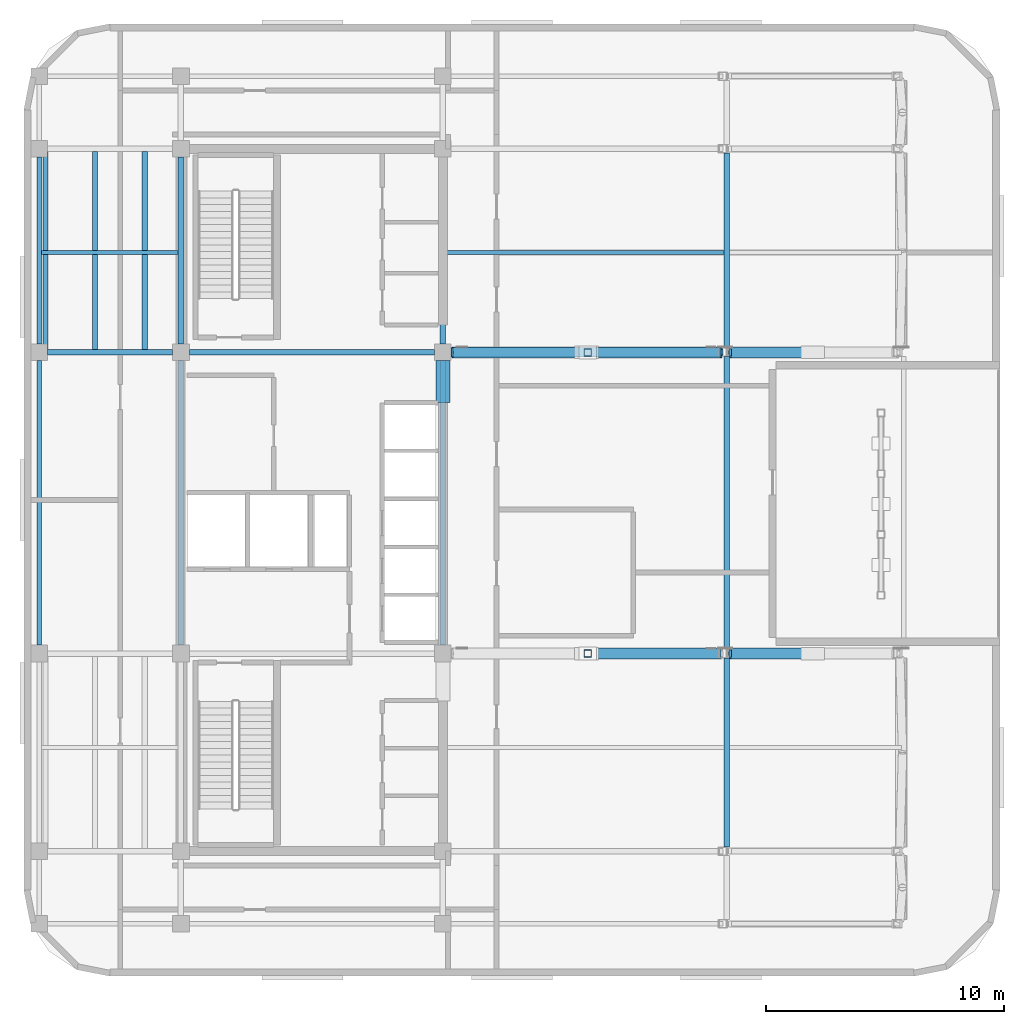
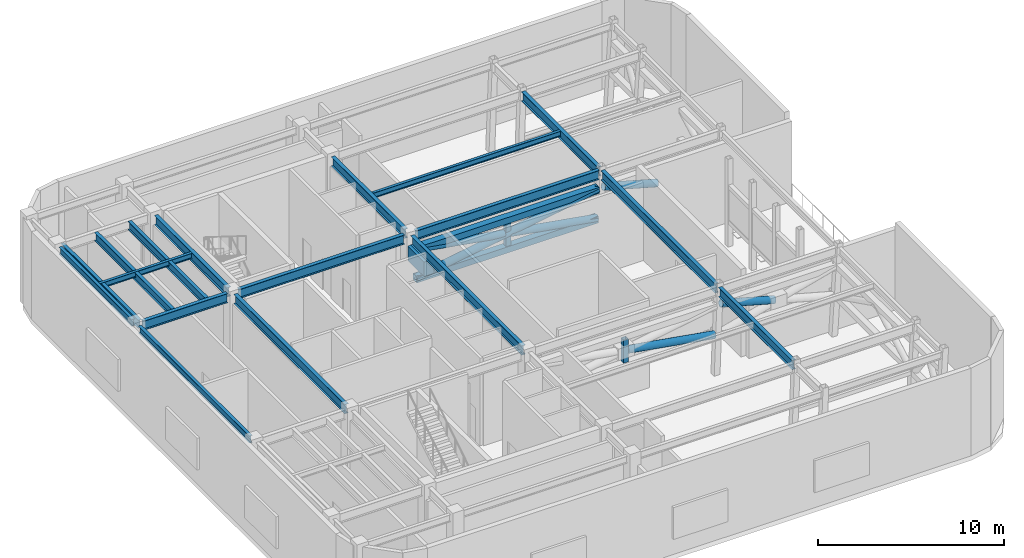
# One storey, part 2 of 12: 18 beams, 10 members.
"""IFC4 building model written with IfcOpenShell, lengths in metres."""

from ifc_helpers import new_model, si_unit, direction, frame, origin, origin_2d, place, context, subcontext, project, spatial, rectangle, hollow_rectangle, hollow_circle, i_section, extrude, material, material_profile, profile_set, type_object, element, save


model = new_model("IFC4")

# Units and contexts
model_context = context("Model", 3, precision=1e-05, world=origin(), true_north=direction((0.0, 1.0)))
body_context = subcontext(model_context, "Body", "Model", "MODEL_VIEW")
ifc_project = project(units=[si_unit("LENGTHUNIT", "METRE"), si_unit("AREAUNIT", "SQUARE_METRE"), si_unit("VOLUMEUNIT", "CUBIC_METRE"), si_unit("PLANEANGLEUNIT", "RADIAN"), si_unit("MASSUNIT", "GRAM", prefix="KILO")], contexts=[model_context])

# Site, building, storey
site_placement = place(None, origin())
site = spatial("IfcSite", under=ifc_project, at=site_placement, CompositionType="ELEMENT")
building_placement = place(site_placement, origin())
building = spatial("IfcBuilding", under=site, at=building_placement, Name="Ochreholt Gables", CompositionType="ELEMENT")
storey_placement = place(building_placement, frame((0.0, 0.0, 199.800048828125)))
storey = spatial("IfcBuildingStorey", under=building, at=storey_placement, Name="L52", CompositionType="ELEMENT", Elevation=199.800048828125)

# Beams
ifc_material_1 = material(Name="Concrete 60 MPa", Category="concrete")
ifc_material_profile_1 = material_profile(ifc_material_1, rectangle(XDim=0.60009765625, YDim=0.949951171875, at=origin_2d()), Name="RCB600X950")
ifc_profile_set_1 = profile_set([ifc_material_profile_1], Name="Concrete 60 MPa")
beam_type_1 = type_object("IfcBeamType", Name="BM-CPL-RC600", PredefinedType="LINTEL", material=ifc_profile_set_1)
beam_1_placement = place(storey_placement, frame((35.2099609375, 28.10009765625, 4.6728515625), z_axis=(0.0, 1.0, 0.0), x_axis=(-1.0, 0.0, 0.0)))
element("IfcBeam", 1, at=beam_1_placement, inside=storey, type_object=beam_type_1, Name="L52 Core Coupling Lintel CPN", PredefinedType="LINTEL", context=body_context, shape_type="SweptSolid", body=[
    extrude(rectangle(XDim=0.60009765625, YDim=0.949951171875, at=origin_2d()), origin(), (0.0, 0.0, 1.0), 1.75),
])
ifc_material_2 = material(Name="Steel CSA G40.21 350W", Category="steel")
ifc_material_profile_2 = material_profile(ifc_material_2, i_section(OverallWidth=0.2109375, OverallDepth=0.5390625, WebThickness=0.01171875, FlangeThickness=0.018798828125, at=origin_2d()), Name="W530X109")
ifc_profile_set_2 = profile_set([ifc_material_profile_2], Name="Steel CSA G40.21 350W")
beam_type_2 = type_object("IfcBeamType", Name="BM-G-W530A", PredefinedType="BEAM", material=ifc_profile_set_2)
for number, where, z_axis, x_axis, name in (
    (2, (18.52001953125, 30.314208984375, 5.490478515625), (0.0, 1.0, 0.0), (-1.0, 0.0, 0.0), "L52 Beam BTG-L52-53W2W"),
    (3, (20.60009765625, 30.314208984375, 5.490478515625), (0.0, 1.0, 0.0), (-1.0, 0.0, 0.0), "L52 Beam BTG-L52-53W2R"),
    (4, (22.679931640625, 30.314208984375, 5.490478515625), (0.0, 1.0, 0.0), (-1.0, 0.0, 0.0), "L52 Beam BTG-L52-53W2E"),
):
    element("IfcBeam", number, at=place(storey_placement, frame(where, z_axis=z_axis, x_axis=x_axis)), inside=storey, type_object=beam_type_2, Name=name, PredefinedType="BEAM", context=body_context, shape_type="SweptSolid", body=[
        extrude(i_section(OverallWidth=0.2109375, OverallDepth=0.5390625, WebThickness=0.01171875, FlangeThickness=0.018798828125, at=origin_2d()), origin(), (0.0, 0.0, 1.0), 8.32177734375),
    ])
ifc_material_profile_3 = material_profile(ifc_material_2, i_section(OverallWidth=0.22900390625, OverallDepth=0.612060546875, WebThickness=0.011962890625, FlangeThickness=0.01953125, at=origin_2d()), Name="W610X125")
ifc_profile_set_3 = profile_set([ifc_material_profile_3], Name="Steel CSA G40.21 350W")
beam_type_3 = type_object("IfcBeamType", Name="BM-G-W610B", PredefinedType="BEAM", material=ifc_profile_set_3)
beam_2_placement = place(storey_placement, frame((18.599609375, 30.199951171875, 5.453857421875), z_axis=(1.0, 0.0, 0.0), x_axis=(0.0, 1.0, 0.0)))
element("IfcBeam", 5, at=beam_2_placement, inside=storey, type_object=beam_type_3, Name="L52 Beam TBG-L52-W3C1-Y4", PredefinedType="BEAM", context=body_context, shape_type="SweptSolid", body=[
    extrude(i_section(OverallWidth=0.22900390625, OverallDepth=0.612060546875, WebThickness=0.011962890625, FlangeThickness=0.01953125, at=origin_2d()), origin(), (0.0, 0.0, 1.0), 5.250732421875),
])
beam_3_placement = place(storey_placement, frame((24.549560546875, 30.199951171875, 5.453857421875), z_axis=(1.0, 0.0, 0.0), x_axis=(0.0, 1.0, 0.0)))
element("IfcBeam", 6, at=beam_3_placement, inside=storey, type_object=beam_type_3, Name="L52 Beam TBG-L52-C1C2-Y4", PredefinedType="BEAM", context=body_context, shape_type="SweptSolid", body=[
    extrude(i_section(OverallWidth=0.22900390625, OverallDepth=0.612060546875, WebThickness=0.011962890625, FlangeThickness=0.01953125, at=origin_2d()), origin(), (0.0, 0.0, 1.0), 10.30078125),
])
beam_4_placement = place(storey_placement, frame((35.549560546875, 30.199951171875, 5.453857421875), z_axis=(1.0, 0.0, 0.0), x_axis=(0.0, 1.0, 0.0)))
element("IfcBeam", 7, at=beam_4_placement, inside=storey, type_object=beam_type_3, Name="L52 Beam TBG-L52-C2EM-Y4", PredefinedType="BEAM", context=body_context, shape_type="SweptSolid", body=[
    extrude(i_section(OverallWidth=0.22900390625, OverallDepth=0.612060546875, WebThickness=0.011962890625, FlangeThickness=0.01953125, at=origin_2d()), origin(), (0.0, 0.0, 1.0), 11.411865234375),
])
beam_5_placement = place(storey_placement, frame((24.199951171875, 17.899658203125, 5.453857421875), z_axis=(0.0, 1.0, 0.0), x_axis=(-1.0, 0.0, 0.0)))
element("IfcBeam", 8, at=beam_5_placement, inside=storey, type_object=beam_type_3, Name="L52 Beam TBN-L52-C1-Y3Y4", PredefinedType="BEAM", context=body_context, shape_type="SweptSolid", body=[
    extrude(i_section(OverallWidth=0.22900390625, OverallDepth=0.612060546875, WebThickness=0.011962890625, FlangeThickness=0.01953125, at=origin_2d()), origin(), (0.0, 0.0, 1.0), 11.95068359375),
])
beam_6_placement = place(storey_placement, frame((24.199951171875, 30.549560546875, 5.453857421875), z_axis=(0.0, 1.0, 0.0), x_axis=(-1.0, 0.0, 0.0)))
element("IfcBeam", 9, at=beam_6_placement, inside=storey, type_object=beam_type_3, Name="L52 Beam TBN-L52-C1-Y4Y5", PredefinedType="BEAM", context=body_context, shape_type="SweptSolid", body=[
    extrude(i_section(OverallWidth=0.22900390625, OverallDepth=0.612060546875, WebThickness=0.011962890625, FlangeThickness=0.01953125, at=origin_2d()), origin(), (0.0, 0.0, 1.0), 7.850830078125),
])
beam_7_placement = place(storey_placement, frame((35.199951171875, 17.899658203125, 5.453857421875), z_axis=(0.0, 1.0, 0.0), x_axis=(-1.0, 0.0, 0.0)))
element("IfcBeam", 10, at=beam_7_placement, inside=storey, type_object=beam_type_3, Name="L52 Beam TBN-L52-C2-Y3Y4", PredefinedType="BEAM", context=body_context, shape_type="SweptSolid", body=[
    extrude(i_section(OverallWidth=0.22900390625, OverallDepth=0.612060546875, WebThickness=0.011962890625, FlangeThickness=0.01953125, at=origin_2d()), origin(), (0.0, 0.0, 1.0), 11.95068359375),
])
beam_8_placement = place(storey_placement, frame((35.199951171875, 30.549560546875, 5.453857421875), z_axis=(0.0, 1.0, 0.0), x_axis=(-1.0, 0.0, 0.0)))
element("IfcBeam", 11, at=beam_8_placement, inside=storey, type_object=beam_type_3, Name="L52 Beam TBN-L52-C2-Y4Y5", PredefinedType="BEAM", context=body_context, shape_type="SweptSolid", body=[
    extrude(i_section(OverallWidth=0.22900390625, OverallDepth=0.612060546875, WebThickness=0.011962890625, FlangeThickness=0.01953125, at=origin_2d()), origin(), (0.0, 0.0, 1.0), 7.850830078125),
])
beam_9_placement = place(storey_placement, frame((47.121826171875, 9.427490234375, 5.453857421875), z_axis=(0.0, 1.0, 0.0), x_axis=(-1.0, 0.0, 0.0)))
element("IfcBeam", 12, at=beam_9_placement, inside=storey, type_object=beam_type_3, Name="L52 Beam TBN-L52-EM-Y2Y3", PredefinedType="BEAM", context=body_context, shape_type="SweptSolid", body=[
    extrude(i_section(OverallWidth=0.22900390625, OverallDepth=0.612060546875, WebThickness=0.011962890625, FlangeThickness=0.01953125, at=origin_2d()), origin(), (0.0, 0.0, 1.0), 7.94482421875),
])
beam_10_placement = place(storey_placement, frame((47.121826171875, 17.7275390625, 5.453857421875), z_axis=(0.0, 1.0, 0.0), x_axis=(-1.0, 0.0, 0.0)))
element("IfcBeam", 13, at=beam_10_placement, inside=storey, type_object=beam_type_3, Name="L52 Beam TBN-L52-EM-Y3Y4", PredefinedType="BEAM", context=body_context, shape_type="SweptSolid", body=[
    extrude(i_section(OverallWidth=0.22900390625, OverallDepth=0.612060546875, WebThickness=0.011962890625, FlangeThickness=0.01953125, at=origin_2d()), origin(), (0.0, 0.0, 1.0), 12.294921875),
])
beam_11_placement = place(storey_placement, frame((47.121826171875, 30.377685546875, 5.453857421875), z_axis=(0.0, 1.0, 0.0), x_axis=(-1.0, 0.0, 0.0)))
element("IfcBeam", 14, at=beam_11_placement, inside=storey, type_object=beam_type_3, Name="L52 Beam TBN-L52-EM-Y4Y5", PredefinedType="BEAM", context=body_context, shape_type="SweptSolid", body=[
    extrude(i_section(OverallWidth=0.22900390625, OverallDepth=0.612060546875, WebThickness=0.011962890625, FlangeThickness=0.01953125, at=origin_2d()), origin(), (0.0, 0.0, 1.0), 8.19482421875),
])
ifc_material_profile_4 = material_profile(ifc_material_2, i_section(OverallWidth=0.172119140625, OverallDepth=0.35791015625, WebThickness=0.0078125, FlangeThickness=0.01318359375, at=origin_2d()), Name="W360X57")
ifc_profile_set_4 = profile_set([ifc_material_profile_4], Name="Steel CSA G40.21 350W")
beam_type_4 = type_object("IfcBeamType", Name="BM-J-W360B", PredefinedType="JOIST", material=ifc_profile_set_4)
beam_12_placement = place(storey_placement, frame((18.345703125, 34.39990234375, 5.5810546875), z_axis=(1.0, 0.0, 0.0), x_axis=(0.0, 1.0, 0.0)))
element("IfcBeam", 15, at=beam_12_placement, inside=storey, type_object=beam_type_4, Name="L52 Beam TBJ-L52-J2-W3C1", PredefinedType="JOIST", context=body_context, shape_type="SweptSolid", body=[
    extrude(i_section(OverallWidth=0.172119140625, OverallDepth=0.35791015625, WebThickness=0.0078125, FlangeThickness=0.01318359375, at=origin_2d()), origin(), (0.0, 0.0, 1.0), 5.740234375),
])
beam_13_placement = place(storey_placement, frame((35.314208984375, 34.39990234375, 5.5810546875), z_axis=(1.0, 0.0, 0.0), x_axis=(0.0, 1.0, 0.0)))
element("IfcBeam", 16, at=beam_13_placement, inside=storey, type_object=beam_type_4, Name="L52 Beam TBJ-L52-J2-C2EM", PredefinedType="JOIST", context=body_context, shape_type="SweptSolid", body=[
    extrude(i_section(OverallWidth=0.172119140625, OverallDepth=0.35791015625, WebThickness=0.0078125, FlangeThickness=0.01318359375, at=origin_2d()), origin(), (0.0, 0.0, 1.0), 11.693603515625),
])
ifc_material_profile_5 = material_profile(ifc_material_2, i_section(OverallWidth=0.19189453125, OverallDepth=0.462890625, WebThickness=0.010498046875, FlangeThickness=0.017578125, at=origin_2d()), Name="W460X89")
ifc_profile_set_5 = profile_set([ifc_material_profile_5], Name="Steel CSA G40.21 350W")
beam_type_5 = type_object("IfcBeamType", Name="BM-SP-W460A", PredefinedType="SPANDREL", material=ifc_profile_set_5)
beam_14_placement = place(storey_placement, frame((18.25, 17.899658203125, 5.528564453125), z_axis=(0.0, 1.0, 0.0), x_axis=(-1.0, 0.0, 0.0)))
element("IfcBeam", 17, at=beam_14_placement, inside=storey, type_object=beam_type_5, Name="L52 Beam TBN-L52-W3-Y3Y4", PredefinedType="SPANDREL", context=body_context, shape_type="SweptSolid", body=[
    extrude(i_section(OverallWidth=0.19189453125, OverallDepth=0.462890625, WebThickness=0.010498046875, FlangeThickness=0.017578125, at=origin_2d()), origin(), (0.0, 0.0, 1.0), 11.95068359375),
])
beam_15_placement = place(storey_placement, frame((18.25, 30.549560546875, 5.528564453125), z_axis=(0.0, 1.0, 0.0), x_axis=(-1.0, 0.0, 0.0)))
element("IfcBeam", 18, at=beam_15_placement, inside=storey, type_object=beam_type_5, Name="L52 Beam TBN-L52-W3-Y4Y5", PredefinedType="SPANDREL", context=body_context, shape_type="SweptSolid", body=[
    extrude(i_section(OverallWidth=0.19189453125, OverallDepth=0.462890625, WebThickness=0.010498046875, FlangeThickness=0.017578125, at=origin_2d()), origin(), (0.0, 0.0, 1.0), 7.850830078125),
])

# Members
ifc_material_profile_6 = material_profile(ifc_material_2, hollow_rectangle(XDim=0.304931640625, YDim=0.304931640625, WallThickness=0.0126953125, at=origin_2d()), Name="HSS305X305X13")
ifc_profile_set_6 = profile_set([ifc_material_profile_6], Name="Steel CSA G40.21 350W")
member_type_1 = type_object("IfcMemberType", Name="MEM-BL-PT1", PredefinedType="POST", material=ifc_profile_set_6)
for number, where, z_axis, x_axis, name in (
    (19, (41.284912109375, 17.550048828125, 2.802490234375), (0.0, 0.0, 1.0), (1.0, 0.0, 0.0), "L52 Outrigger Mid-Bay Post S"),
    (20, (41.284912109375, 30.199951171875, 2.802490234375), (0.0, 0.0, 1.0), (1.0, 0.0, 0.0), "L52 Outrigger Mid-Bay Post N"),
):
    element("IfcMember", number, at=place(storey_placement, frame(where, z_axis=z_axis, x_axis=x_axis)), inside=storey, type_object=member_type_1, Name=name, PredefinedType="POST", context=body_context, shape_type="SweptSolid", body=[
        extrude(hollow_rectangle(XDim=0.304931640625, YDim=0.304931640625, WallThickness=0.0126953125, at=origin_2d()), origin(), (0.0, 0.0, 1.0), 1.514892578125),
    ])
ifc_material_profile_7 = material_profile(ifc_material_2, hollow_circle(Radius=0.228515625, WallThickness=0.01611328125, at=origin_2d()), Name="CHS457X16")
ifc_profile_set_7 = profile_set([ifc_material_profile_7], Name="Steel CSA G40.21 350W")
member_type_2 = type_object("IfcMemberType", Name="MEM-OU-BR1", PredefinedType="BRACE", material=ifc_profile_set_7)
member_1_placement = place(storey_placement, frame((46.84228515625, 17.550048828125, 2.599853515625), z_axis=(-0.98572314487, 0.0, 0.168374231008), x_axis=(0.0, -1.0, 0.0)))
element("IfcMember", 21, at=member_1_placement, inside=storey, type_object=member_type_2, Name="L52 Outrigger Truss S Split Diagonal 2A", PredefinedType="BRACE", context=body_context, shape_type="SweptSolid", body=[
    extrude(hollow_circle(Radius=0.228515625, WallThickness=0.01611328125, at=origin_2d()), origin(), (0.0, 0.0, 1.0), 5.505615234375),
])
member_2_placement = place(storey_placement, frame((50.56201171875, 17.550048828125, 3.600341796875), z_axis=(-0.963230219965, 0.0, 0.268677396417), x_axis=(0.0, -1.0, 0.0)))
element("IfcMember", 22, at=member_2_placement, inside=storey, type_object=member_type_2, Name="L52 Outrigger Truss S Split Diagonal 4B", PredefinedType="BRACE", context=body_context, shape_type="SweptSolid", body=[
    extrude(hollow_circle(Radius=0.228515625, WallThickness=0.01611328125, at=origin_2d()), origin(), (0.0, 0.0, 1.0), 3.423095703125),
])
member_3_placement = place(storey_placement, frame((35.599609375, 30.199951171875, 2.599853515625), z_axis=(0.985892462499, 0.0, 0.167379964114), x_axis=(0.0, 1.0, 0.0)))
element("IfcMember", 23, at=member_3_placement, inside=storey, type_object=member_type_2, Name="L52 Outrigger Truss N Continuous Diagonal 1", PredefinedType="BRACE", context=body_context, shape_type="SweptSolid", body=[
    extrude(hollow_circle(Radius=0.228515625, WallThickness=0.01611328125, at=origin_2d()), origin(), (0.0, 0.0, 1.0), 11.471923828125),
])
member_4_placement = place(storey_placement, frame((46.84228515625, 30.199951171875, 2.599853515625), z_axis=(-0.98572314487, 0.0, 0.168374231008), x_axis=(0.0, -1.0, 0.0)))
element("IfcMember", 24, at=member_4_placement, inside=storey, type_object=member_type_2, Name="L52 Outrigger Truss N Split Diagonal 2A", PredefinedType="BRACE", context=body_context, shape_type="SweptSolid", body=[
    extrude(hollow_circle(Radius=0.228515625, WallThickness=0.01611328125, at=origin_2d()), origin(), (0.0, 0.0, 1.0), 5.505615234375),
])
member_5_placement = place(storey_placement, frame((41.060302734375, 30.199951171875, 3.58740234375), z_axis=(-0.985727329731, 0.0, 0.168349729493), x_axis=(0.0, -1.0, 0.0)))
element("IfcMember", 25, at=member_5_placement, inside=storey, type_object=member_type_2, Name="L52 Outrigger Truss N Split Diagonal 2B", PredefinedType="BRACE", context=body_context, shape_type="SweptSolid", body=[
    extrude(hollow_circle(Radius=0.228515625, WallThickness=0.01611328125, at=origin_2d()), origin(), (0.0, 0.0, 1.0), 5.539794921875),
])
member_6_placement = place(storey_placement, frame((50.56201171875, 30.199951171875, 3.600341796875), z_axis=(-0.963230219965, 0.0, 0.268677396417), x_axis=(0.0, -1.0, 0.0)))
element("IfcMember", 26, at=member_6_placement, inside=storey, type_object=member_type_2, Name="L52 Outrigger Truss N Split Diagonal 4B", PredefinedType="BRACE", context=body_context, shape_type="SweptSolid", body=[
    extrude(hollow_circle(Radius=0.228515625, WallThickness=0.01611328125, at=origin_2d()), origin(), (0.0, 0.0, 1.0), 3.423095703125),
])
ifc_material_profile_8 = material_profile(ifc_material_2, hollow_rectangle(XDim=0.406005859375, YDim=0.406005859375, WallThickness=0.01611328125, at=origin_2d()), Name="HSS406X406X16")
ifc_profile_set_8 = profile_set([ifc_material_profile_8], Name="Steel CSA G40.21 350W")
member_type_3 = type_object("IfcMemberType", Name="MEM-OU-CH1", PredefinedType="CHORD", material=ifc_profile_set_8)
member_7_placement = place(storey_placement, frame((35.549560546875, 30.199951171875, 2.599853515625), z_axis=(1.0, 0.0, 0.0), x_axis=(0.0, 1.0, 0.0)))
element("IfcMember", 27, at=member_7_placement, inside=storey, type_object=member_type_3, Name="L52 Outrigger Truss N Bottom Chord 1", PredefinedType="CHORD", context=body_context, shape_type="SweptSolid", body=[
    extrude(hollow_rectangle(XDim=0.406005859375, YDim=0.406005859375, WallThickness=0.01611328125, at=origin_2d()), origin(), (0.0, 0.0, 1.0), 11.292724609375),
])
member_8_placement = place(storey_placement, frame((35.549560546875, 30.199951171875, 4.52001953125), z_axis=(1.0, 0.0, 0.0), x_axis=(0.0, 1.0, 0.0)))
element("IfcMember", 28, at=member_8_placement, inside=storey, type_object=member_type_3, Name="L52 Outrigger Truss N Top Chord 1", PredefinedType="CHORD", context=body_context, shape_type="SweptSolid", body=[
    extrude(hollow_rectangle(XDim=0.406005859375, YDim=0.406005859375, WallThickness=0.01611328125, at=origin_2d()), origin(), (0.0, 0.0, 1.0), 11.360107421875),
])

save(model, "model.ifc")
